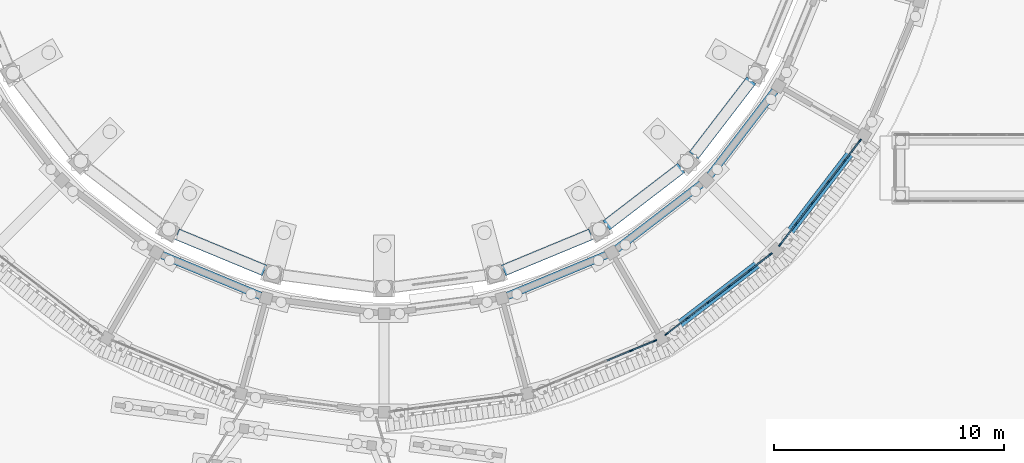
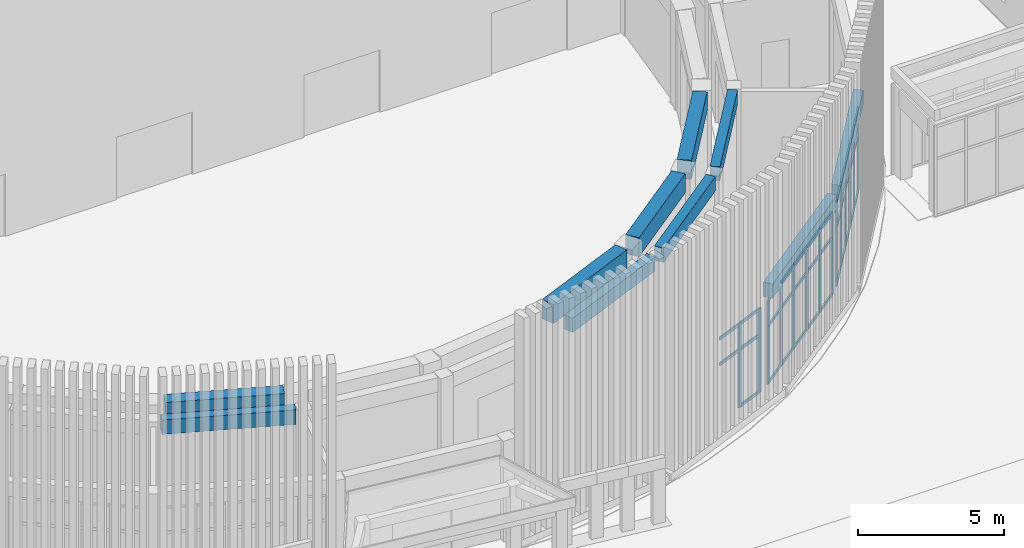
# One storey, part 17 of 112: 49 members, 10 beams, 3 elements without a shape of their own.
"""IFC4 building model written with IfcOpenShell, lengths in metres."""

from ifc_helpers import new_model, si_unit, direction, frame, origin, origin_2d, place, context, subcontext, project, spatial, rectangle, extrude, material, layer, layer_set, material_profile, profile_set, type_object, element, aggregate, save


model = new_model("IFC4")

# Units and contexts
model_context = context("Model", 3, precision=1e-05, world=origin(), true_north=direction((0.0, 1.0)))
body_context = subcontext(model_context, "Body", "Model", "MODEL_VIEW")
ifc_project = project(units=[si_unit("LENGTHUNIT", "METRE"), si_unit("AREAUNIT", "SQUARE_METRE"), si_unit("VOLUMEUNIT", "CUBIC_METRE"), si_unit("PLANEANGLEUNIT", "RADIAN"), si_unit("MASSUNIT", "GRAM", prefix="KILO")], contexts=[model_context])

# Site, building, storey
site_placement = place(None, origin())
site = spatial("IfcSite", under=ifc_project, at=site_placement, CompositionType="ELEMENT")
building_placement = place(site_placement, origin())
building = spatial("IfcBuilding", under=site, at=building_placement, Name="Wasatch Bagh Community Centre", CompositionType="ELEMENT")
storey_placement = place(building_placement, origin())
storey = spatial("IfcBuildingStorey", under=building, at=storey_placement, Name="L00", CompositionType="ELEMENT", Elevation=0.0)

# Curtain wall, members
ifc_material_1 = material(Name="Aluminium curtain wall frame with low-iron insulated glass", Category="aluminium")
ifc_layer = layer(ifc_material_1, 0.14990234375)
ifc_layer_set = layer_set([ifc_layer], Name="Aluminium curtain wall frame with low-iron insulated glass")
curtain_wall_type = type_object("IfcCurtainWallType", Name="Drum curtain wall DR-CW1", PredefinedType="NOTDEFINED", material=ifc_layer_set)
curtain_wall_1_placement = place(storey_placement, origin())
curtain_wall_1 = element("IfcCurtainWall", 1, at=curtain_wall_1_placement, inside=storey, type_object=curtain_wall_type, Name="Curtain wall DR-CW1 8", PredefinedType="NOTDEFINED")
ifc_material_2 = material(Name="Aluminium curtain wall frame", Category="aluminium")
ifc_material_profile_1 = material_profile(ifc_material_2, rectangle(XDim=0.06005859375, YDim=0.159912109375, at=origin_2d()), Name="Drum mullion DR-CW1")
ifc_profile_set_1 = profile_set([ifc_material_profile_1], Name="Aluminium curtain wall frame")
member_type_1 = type_object("IfcMemberType", Name="Drum mullion DR-CW1", PredefinedType="MULLION", material=ifc_profile_set_1)
member_1_placement = place(storey_placement, frame((46.7646484375, 13.542724609375, 0.0), z_axis=(0.0, 0.0, 1.0), x_axis=(-0.38268343251, 0.923879532451, 0.0)))
member_1 = element("IfcMember", 2, at=member_1_placement, type_object=member_type_1, Name="DR-CW1 mullion 5", PredefinedType="MULLION", context=body_context, shape_type="SweptSolid", body=[
    extrude(rectangle(XDim=0.06005859375, YDim=0.159912109375, at=origin_2d()), origin(), (0.0, 0.0, 1.0), 3.5),
])
member_2_placement = place(storey_placement, frame((47.8046875, 13.9736328125, 0.0), z_axis=(0.0, 0.0, 1.0), x_axis=(-0.38268343251, 0.923879532451, 0.0)))
member_2 = element("IfcMember", 3, at=member_2_placement, type_object=member_type_1, Name="DR-CW1 mullion 6", PredefinedType="MULLION", context=body_context, shape_type="SweptSolid", body=[
    extrude(rectangle(XDim=0.06005859375, YDim=0.159912109375, at=origin_2d()), origin(), (0.0, 0.0, 1.0), 3.5),
])

curtain_wall_2_placement = place(storey_placement, origin())
curtain_wall_2 = element("IfcCurtainWall", 4, at=curtain_wall_2_placement, inside=storey, type_object=curtain_wall_type, Name="Curtain wall DR-CW1 9", PredefinedType="NOTDEFINED")
member_3_placement = place(storey_placement, frame((48.30712890625, 14.263671875, 0.0), z_axis=(0.0, 0.0, 1.0), x_axis=(-0.608761429133, 0.793353340196, 0.0)))
member_3 = element("IfcMember", 5, at=member_3_placement, type_object=member_type_1, Name="DR-CW1 mullion 1", PredefinedType="MULLION", context=body_context, shape_type="SweptSolid", body=[
    extrude(rectangle(XDim=0.06005859375, YDim=0.159912109375, at=origin_2d()), origin(), (0.0, 0.0, 1.0), 3.5),
])
member_4_placement = place(storey_placement, frame((49.2001953125, 14.948974609375, 0.0), z_axis=(0.0, 0.0, 1.0), x_axis=(-0.608761429133, 0.793353340196, 0.0)))
member_4 = element("IfcMember", 6, at=member_4_placement, type_object=member_type_1, Name="DR-CW1 mullion 2", PredefinedType="MULLION", context=body_context, shape_type="SweptSolid", body=[
    extrude(rectangle(XDim=0.06005859375, YDim=0.159912109375, at=origin_2d()), origin(), (0.0, 0.0, 1.0), 3.5),
])
member_5_placement = place(storey_placement, frame((50.1171875, 15.652587890625, 0.0), z_axis=(0.0, 0.0, 1.0), x_axis=(-0.608761429133, 0.793353340196, 0.0)))
member_5 = element("IfcMember", 7, at=member_5_placement, type_object=member_type_1, Name="DR-CW1 mullion 3", PredefinedType="MULLION", context=body_context, shape_type="SweptSolid", body=[
    extrude(rectangle(XDim=0.06005859375, YDim=0.159912109375, at=origin_2d()), origin(), (0.0, 0.0, 1.0), 3.5),
])
member_6_placement = place(storey_placement, frame((51.034423828125, 16.356201171875, 0.0), z_axis=(0.0, 0.0, 1.0), x_axis=(-0.608761429133, 0.793353340196, 0.0)))
member_6 = element("IfcMember", 8, at=member_6_placement, type_object=member_type_1, Name="DR-CW1 mullion 4", PredefinedType="MULLION", context=body_context, shape_type="SweptSolid", body=[
    extrude(rectangle(XDim=0.06005859375, YDim=0.159912109375, at=origin_2d()), origin(), (0.0, 0.0, 1.0), 3.5),
])
member_7_placement = place(storey_placement, frame((51.951416015625, 17.059814453125, 0.0), z_axis=(0.0, 0.0, 1.0), x_axis=(-0.608761429133, 0.793353340196, 0.0)))
member_7 = element("IfcMember", 9, at=member_7_placement, type_object=member_type_1, Name="DR-CW1 mullion 5", PredefinedType="MULLION", context=body_context, shape_type="SweptSolid", body=[
    extrude(rectangle(XDim=0.06005859375, YDim=0.159912109375, at=origin_2d()), origin(), (0.0, 0.0, 1.0), 3.5),
])
member_8_placement = place(storey_placement, frame((52.844482421875, 17.745361328125, 0.0), z_axis=(0.0, 0.0, 1.0), x_axis=(-0.608761429133, 0.793353340196, 0.0)))
member_8 = element("IfcMember", 10, at=member_8_placement, type_object=member_type_1, Name="DR-CW1 mullion 6", PredefinedType="MULLION", context=body_context, shape_type="SweptSolid", body=[
    extrude(rectangle(XDim=0.06005859375, YDim=0.159912109375, at=origin_2d()), origin(), (0.0, 0.0, 1.0), 3.5),
])

curtain_wall_3_placement = place(storey_placement, origin())
curtain_wall_3 = element("IfcCurtainWall", 11, at=curtain_wall_3_placement, inside=storey, type_object=curtain_wall_type, Name="Curtain wall DR-CW1 10", PredefinedType="NOTDEFINED")
member_9_placement = place(storey_placement, frame((53.254638671875, 18.155517578125, 0.0), z_axis=(0.0, 0.0, 1.0), x_axis=(-0.793353340196, 0.608761429133, 0.0)))
member_9 = element("IfcMember", 12, at=member_9_placement, type_object=member_type_1, Name="DR-CW1 mullion 1", PredefinedType="MULLION", context=body_context, shape_type="SweptSolid", body=[
    extrude(rectangle(XDim=0.06005859375, YDim=0.159912109375, at=origin_2d()), origin(), (0.0, 0.0, 1.0), 3.5),
])
member_10_placement = place(storey_placement, frame((53.940185546875, 19.048583984375, 0.0), z_axis=(0.0, 0.0, 1.0), x_axis=(-0.793353340196, 0.608761429133, 0.0)))
member_10 = element("IfcMember", 13, at=member_10_placement, type_object=member_type_1, Name="DR-CW1 mullion 2", PredefinedType="MULLION", context=body_context, shape_type="SweptSolid", body=[
    extrude(rectangle(XDim=0.06005859375, YDim=0.159912109375, at=origin_2d()), origin(), (0.0, 0.0, 1.0), 3.5),
])
member_11_placement = place(storey_placement, frame((54.643798828125, 19.965576171875, 0.0), z_axis=(0.0, 0.0, 1.0), x_axis=(-0.793353340196, 0.608761429133, 0.0)))
member_11 = element("IfcMember", 14, at=member_11_placement, type_object=member_type_1, Name="DR-CW1 mullion 3", PredefinedType="MULLION", context=body_context, shape_type="SweptSolid", body=[
    extrude(rectangle(XDim=0.06005859375, YDim=0.159912109375, at=origin_2d()), origin(), (0.0, 0.0, 1.0), 3.5),
])
member_12_placement = place(storey_placement, frame((55.347412109375, 20.8828125, 0.0), z_axis=(0.0, 0.0, 1.0), x_axis=(-0.793353340196, 0.608761429133, 0.0)))
member_12 = element("IfcMember", 15, at=member_12_placement, type_object=member_type_1, Name="DR-CW1 mullion 4", PredefinedType="MULLION", context=body_context, shape_type="SweptSolid", body=[
    extrude(rectangle(XDim=0.06005859375, YDim=0.159912109375, at=origin_2d()), origin(), (0.0, 0.0, 1.0), 3.5),
])
member_13_placement = place(storey_placement, frame((56.051025390625, 21.7998046875, 0.0), z_axis=(0.0, 0.0, 1.0), x_axis=(-0.793353340196, 0.608761429133, 0.0)))
member_13 = element("IfcMember", 16, at=member_13_placement, type_object=member_type_1, Name="DR-CW1 mullion 5", PredefinedType="MULLION", context=body_context, shape_type="SweptSolid", body=[
    extrude(rectangle(XDim=0.06005859375, YDim=0.159912109375, at=origin_2d()), origin(), (0.0, 0.0, 1.0), 3.5),
])
member_14_placement = place(storey_placement, frame((56.736328125, 22.69287109375, 0.0), z_axis=(0.0, 0.0, 1.0), x_axis=(-0.793353340196, 0.608761429133, 0.0)))
member_14 = element("IfcMember", 17, at=member_14_placement, type_object=member_type_1, Name="DR-CW1 mullion 6", PredefinedType="MULLION", context=body_context, shape_type="SweptSolid", body=[
    extrude(rectangle(XDim=0.06005859375, YDim=0.159912109375, at=origin_2d()), origin(), (0.0, 0.0, 1.0), 3.5),
])

# Beams
ifc_material_3 = material(Name="Concrete C35", Category="concrete")
ifc_material_profile_2 = material_profile(ifc_material_3, rectangle(XDim=0.35009765625, YDim=0.60009765625, at=origin_2d()), Name="RC 350x600")
ifc_profile_set_2 = profile_set([ifc_material_profile_2], Name="Concrete C35")
beam_type_1 = type_object("IfcBeamType", Name="Drum ring beam RC 350x600", PredefinedType="BEAM", material=ifc_profile_set_2)
for number, where, z_axis, x_axis, name in (
    (18, (26.32958984375, 17.703857421875, 3.89990234375), (0.923884458327, -0.382671540178, 0.0), (0.382671540178, 0.923884458327, 0.0), "Ring beam 4.2 DI-S4-DI-S5"),
    (19, (41.392333984375, 15.931884765625, 3.89990234375), (0.923884458327, 0.382671540178, 0.0), (-0.382671540178, 0.923884458327, 0.0), "Ring beam 4.2 DI-S7-DI-S8"),
):
    element("IfcBeam", number, at=place(storey_placement, frame(where, z_axis=z_axis, x_axis=x_axis)), inside=storey, type_object=beam_type_1, Name=name, PredefinedType="BEAM", context=body_context, shape_type="SweptSolid", body=[
        extrude(rectangle(XDim=0.35009765625, YDim=0.60009765625, at=origin_2d()), origin(), (0.0, 0.0, 1.0), 4.630615234375),
    ])
for number, where, z_axis, x_axis, name in (
    (20, (46.143798828125, 17.977294921875, 3.89990234375), (0.793352555691, 0.608762451519, 0.0), (-0.608762451519, 0.793352555691, 0.0), "Ring beam 4.2 DI-S8-DI-S9"),
    (21, (50.203857421875, 21.1826171875, 3.89990234375), (0.608762451519, 0.793352555691, 0.0), (-0.793352555691, 0.608762451519, 0.0), "Ring beam 4.2 DI-S9-DI-S10"),
):
    element("IfcBeam", number, at=place(storey_placement, frame(where, z_axis=z_axis, x_axis=x_axis)), inside=storey, type_object=beam_type_1, Name=name, PredefinedType="BEAM", context=body_context, shape_type="SweptSolid", body=[
        extrude(rectangle(XDim=0.35009765625, YDim=0.60009765625, at=origin_2d()), origin(), (0.0, 0.0, 1.0), 4.63037109375),
    ])
for number, where, z_axis, x_axis, name in (
    (22, (48.293701171875, 14.25341796875, 3.89990234375), (0.793356989288, 0.608756673514, 0.0), (-0.608756673514, 0.793356989288, 0.0), "Ring beam 4.2 DO-S8-DO-S9"),
    (23, (53.244384765625, 18.14208984375, 3.89990234375), (0.608756673514, 0.793356989288, 0.0), (-0.793356989288, 0.608756673514, 0.0), "Ring beam 4.2 DO-S9-DO-S10"),
):
    element("IfcBeam", number, at=place(storey_placement, frame(where, z_axis=z_axis, x_axis=x_axis)), inside=storey, type_object=beam_type_1, Name=name, PredefinedType="BEAM", context=body_context, shape_type="SweptSolid", body=[
        extrude(rectangle(XDim=0.35009765625, YDim=0.60009765625, at=origin_2d()), origin(), (0.0, 0.0, 1.0), 5.7529296875),
    ])

# Member
ifc_material_profile_3 = material_profile(ifc_material_2, rectangle(XDim=0.06005859375, YDim=0.1201171875, at=origin_2d()), Name="Drum transom DR-CW1")
ifc_profile_set_3 = profile_set([ifc_material_profile_3], Name="Aluminium curtain wall frame")
member_type_2 = type_object("IfcMemberType", Name="Drum transom DR-CW1", PredefinedType="USERDEFINED", material=ifc_profile_set_3)
member_15_placement = place(storey_placement, frame((45.724365234375, 13.11181640625, 2.39990234375), z_axis=(0.923859339579, 0.382732178779, 0.0), x_axis=(-0.382732178779, 0.923859339579, 0.0)))
member_15 = element("IfcMember", 24, at=member_15_placement, type_object=member_type_2, Name="DR-CW1 transom 4.2", ObjectType="TRANSOM", PredefinedType="USERDEFINED", context=body_context, shape_type="SweptSolid", body=[
    extrude(rectangle(XDim=0.06005859375, YDim=0.1201171875, at=origin_2d()), origin(), (0.0, 0.0, 1.0), 1.095947265625),
])

member_16_placement = place(storey_placement, frame((45.724365234375, 13.11181640625, 3.469970703125), z_axis=(0.923859339579, 0.382732178779, 0.0), x_axis=(-0.382732178779, 0.923859339579, 0.0)))
member_16 = element("IfcMember", 25, at=member_16_placement, type_object=member_type_2, Name="DR-CW1 transom 4.3", ObjectType="TRANSOM", PredefinedType="USERDEFINED", context=body_context, shape_type="SweptSolid", body=[
    extrude(rectangle(XDim=0.06005859375, YDim=0.1201171875, at=origin_2d()), origin(), (0.0, 0.0, 1.0), 1.095947265625),
])

member_17_placement = place(storey_placement, frame((46.792236328125, 13.55419921875, 0.030029296875), z_axis=(0.923874472572, 0.38269564791, 0.0), x_axis=(-0.38269564791, 0.923874472572, 0.0)))
member_17 = element("IfcMember", 26, at=member_17_placement, type_object=member_type_2, Name="DR-CW1 transom 5.1", ObjectType="TRANSOM", PredefinedType="USERDEFINED", context=body_context, shape_type="SweptSolid", body=[
    extrude(rectangle(XDim=0.06005859375, YDim=0.1201171875, at=origin_2d()), origin(), (0.0, 0.0, 1.0), 1.06591796875),
])

member_18_placement = place(storey_placement, frame((46.792236328125, 13.55419921875, 2.39990234375), z_axis=(0.923874472572, 0.38269564791, 0.0), x_axis=(-0.38269564791, 0.923874472572, 0.0)))
member_18 = element("IfcMember", 27, at=member_18_placement, type_object=member_type_2, Name="DR-CW1 transom 5.2", ObjectType="TRANSOM", PredefinedType="USERDEFINED", context=body_context, shape_type="SweptSolid", body=[
    extrude(rectangle(XDim=0.06005859375, YDim=0.1201171875, at=origin_2d()), origin(), (0.0, 0.0, 1.0), 1.06591796875),
])

member_19_placement = place(storey_placement, frame((46.792236328125, 13.55419921875, 3.469970703125), z_axis=(0.923874472572, 0.38269564791, 0.0), x_axis=(-0.38269564791, 0.923874472572, 0.0)))
member_19 = element("IfcMember", 28, at=member_19_placement, type_object=member_type_2, Name="DR-CW1 transom 5.3", ObjectType="TRANSOM", PredefinedType="USERDEFINED", context=body_context, shape_type="SweptSolid", body=[
    extrude(rectangle(XDim=0.06005859375, YDim=0.1201171875, at=origin_2d()), origin(), (0.0, 0.0, 1.0), 1.06591796875),
])

aggregate(curtain_wall_1, [member_1, member_2, member_15, member_16, member_17, member_18, member_19])

member_20_placement = place(storey_placement, frame((48.330810546875, 14.28173828125, 0.030029296875), z_axis=(0.793355628453, 0.608758447006, 0.0), x_axis=(-0.608758447006, 0.793355628453, 0.0)))
member_20 = element("IfcMember", 29, at=member_20_placement, type_object=member_type_2, Name="DR-CW1 transom 1.1", ObjectType="TRANSOM", PredefinedType="USERDEFINED", context=body_context, shape_type="SweptSolid", body=[
    extrude(rectangle(XDim=0.06005859375, YDim=0.1201171875, at=origin_2d()), origin(), (0.0, 0.0, 1.0), 1.06591796875),
])

member_21_placement = place(storey_placement, frame((48.330810546875, 14.28173828125, 2.39990234375), z_axis=(0.793355628453, 0.608758447006, 0.0), x_axis=(-0.608758447006, 0.793355628453, 0.0)))
member_21 = element("IfcMember", 30, at=member_21_placement, type_object=member_type_2, Name="DR-CW1 transom 1.2", ObjectType="TRANSOM", PredefinedType="USERDEFINED", context=body_context, shape_type="SweptSolid", body=[
    extrude(rectangle(XDim=0.06005859375, YDim=0.1201171875, at=origin_2d()), origin(), (0.0, 0.0, 1.0), 1.06591796875),
])

member_22_placement = place(storey_placement, frame((48.330810546875, 14.28173828125, 3.469970703125), z_axis=(0.793355628453, 0.608758447006, 0.0), x_axis=(-0.608758447006, 0.793355628453, 0.0)))
member_22 = element("IfcMember", 31, at=member_22_placement, type_object=member_type_2, Name="DR-CW1 transom 1.3", ObjectType="TRANSOM", PredefinedType="USERDEFINED", context=body_context, shape_type="SweptSolid", body=[
    extrude(rectangle(XDim=0.06005859375, YDim=0.1201171875, at=origin_2d()), origin(), (0.0, 0.0, 1.0), 1.06591796875),
])

member_23_placement = place(storey_placement, frame((49.22412109375, 14.96728515625, 0.030029296875), z_axis=(0.793401911405, 0.608698124672, 0.0), x_axis=(-0.608698124672, 0.793401911405, 0.0)))
member_23 = element("IfcMember", 32, at=member_23_placement, type_object=member_type_2, Name="DR-CW1 transom 2.1", ObjectType="TRANSOM", PredefinedType="USERDEFINED", context=body_context, shape_type="SweptSolid", body=[
    extrude(rectangle(XDim=0.06005859375, YDim=0.1201171875, at=origin_2d()), origin(), (0.0, 0.0, 1.0), 1.095703125),
])

member_24_placement = place(storey_placement, frame((49.22412109375, 14.96728515625, 2.39990234375), z_axis=(0.793401911405, 0.608698124672, 0.0), x_axis=(-0.608698124672, 0.793401911405, 0.0)))
member_24 = element("IfcMember", 33, at=member_24_placement, type_object=member_type_2, Name="DR-CW1 transom 2.2", ObjectType="TRANSOM", PredefinedType="USERDEFINED", context=body_context, shape_type="SweptSolid", body=[
    extrude(rectangle(XDim=0.06005859375, YDim=0.1201171875, at=origin_2d()), origin(), (0.0, 0.0, 1.0), 1.095703125),
])

member_25_placement = place(storey_placement, frame((49.22412109375, 14.96728515625, 3.469970703125), z_axis=(0.793401911405, 0.608698124672, 0.0), x_axis=(-0.608698124672, 0.793401911405, 0.0)))
member_25 = element("IfcMember", 34, at=member_25_placement, type_object=member_type_2, Name="DR-CW1 transom 2.3", ObjectType="TRANSOM", PredefinedType="USERDEFINED", context=body_context, shape_type="SweptSolid", body=[
    extrude(rectangle(XDim=0.06005859375, YDim=0.1201171875, at=origin_2d()), origin(), (0.0, 0.0, 1.0), 1.095703125),
])

member_26_placement = place(storey_placement, frame((50.14111328125, 15.6708984375, 0.030029296875), z_axis=(0.793401911405, 0.608698124672, 0.0), x_axis=(-0.608698124672, 0.793401911405, 0.0)))
member_26 = element("IfcMember", 35, at=member_26_placement, type_object=member_type_2, Name="DR-CW1 transom 3.1", ObjectType="TRANSOM", PredefinedType="USERDEFINED", context=body_context, shape_type="SweptSolid", body=[
    extrude(rectangle(XDim=0.06005859375, YDim=0.1201171875, at=origin_2d()), origin(), (0.0, 0.0, 1.0), 1.095703125),
])

member_27_placement = place(storey_placement, frame((50.14111328125, 15.6708984375, 2.39990234375), z_axis=(0.793401911405, 0.608698124672, 0.0), x_axis=(-0.608698124672, 0.793401911405, 0.0)))
member_27 = element("IfcMember", 36, at=member_27_placement, type_object=member_type_2, Name="DR-CW1 transom 3.2", ObjectType="TRANSOM", PredefinedType="USERDEFINED", context=body_context, shape_type="SweptSolid", body=[
    extrude(rectangle(XDim=0.06005859375, YDim=0.1201171875, at=origin_2d()), origin(), (0.0, 0.0, 1.0), 1.095703125),
])

member_28_placement = place(storey_placement, frame((50.14111328125, 15.6708984375, 3.469970703125), z_axis=(0.793401911405, 0.608698124672, 0.0), x_axis=(-0.608698124672, 0.793401911405, 0.0)))
member_28 = element("IfcMember", 37, at=member_28_placement, type_object=member_type_2, Name="DR-CW1 transom 3.3", ObjectType="TRANSOM", PredefinedType="USERDEFINED", context=body_context, shape_type="SweptSolid", body=[
    extrude(rectangle(XDim=0.06005859375, YDim=0.1201171875, at=origin_2d()), origin(), (0.0, 0.0, 1.0), 1.095703125),
])

member_29_placement = place(storey_placement, frame((51.05810546875, 16.37451171875, 0.030029296875), z_axis=(0.793294312563, 0.608838347721, 0.0), x_axis=(-0.608838347721, 0.793294312563, 0.0)))
member_29 = element("IfcMember", 38, at=member_29_placement, type_object=member_type_2, Name="DR-CW1 transom 4.1", ObjectType="TRANSOM", PredefinedType="USERDEFINED", context=body_context, shape_type="SweptSolid", body=[
    extrude(rectangle(XDim=0.06005859375, YDim=0.1201171875, at=origin_2d()), origin(), (0.0, 0.0, 1.0), 1.095947265625),
])

member_30_placement = place(storey_placement, frame((51.05810546875, 16.37451171875, 2.39990234375), z_axis=(0.793294312563, 0.608838347721, 0.0), x_axis=(-0.608838347721, 0.793294312563, 0.0)))
member_30 = element("IfcMember", 39, at=member_30_placement, type_object=member_type_2, Name="DR-CW1 transom 4.2", ObjectType="TRANSOM", PredefinedType="USERDEFINED", context=body_context, shape_type="SweptSolid", body=[
    extrude(rectangle(XDim=0.06005859375, YDim=0.1201171875, at=origin_2d()), origin(), (0.0, 0.0, 1.0), 1.095947265625),
])

member_31_placement = place(storey_placement, frame((51.05810546875, 16.37451171875, 3.469970703125), z_axis=(0.793294312563, 0.608838347721, 0.0), x_axis=(-0.608838347721, 0.793294312563, 0.0)))
member_31 = element("IfcMember", 40, at=member_31_placement, type_object=member_type_2, Name="DR-CW1 transom 4.3", ObjectType="TRANSOM", PredefinedType="USERDEFINED", context=body_context, shape_type="SweptSolid", body=[
    extrude(rectangle(XDim=0.06005859375, YDim=0.1201171875, at=origin_2d()), origin(), (0.0, 0.0, 1.0), 1.095947265625),
])

member_32_placement = place(storey_placement, frame((51.97509765625, 17.078125, 0.030029296875), z_axis=(0.793355628453, 0.608758447006, 0.0), x_axis=(-0.608758447006, 0.793355628453, 0.0)))
member_32 = element("IfcMember", 41, at=member_32_placement, type_object=member_type_2, Name="DR-CW1 transom 5.1", ObjectType="TRANSOM", PredefinedType="USERDEFINED", context=body_context, shape_type="SweptSolid", body=[
    extrude(rectangle(XDim=0.06005859375, YDim=0.1201171875, at=origin_2d()), origin(), (0.0, 0.0, 1.0), 1.06591796875),
])

member_33_placement = place(storey_placement, frame((51.97509765625, 17.078125, 2.39990234375), z_axis=(0.793355628453, 0.608758447006, 0.0), x_axis=(-0.608758447006, 0.793355628453, 0.0)))
member_33 = element("IfcMember", 42, at=member_33_placement, type_object=member_type_2, Name="DR-CW1 transom 5.2", ObjectType="TRANSOM", PredefinedType="USERDEFINED", context=body_context, shape_type="SweptSolid", body=[
    extrude(rectangle(XDim=0.06005859375, YDim=0.1201171875, at=origin_2d()), origin(), (0.0, 0.0, 1.0), 1.06591796875),
])

member_34_placement = place(storey_placement, frame((51.97509765625, 17.078125, 3.469970703125), z_axis=(0.793355628453, 0.608758447006, 0.0), x_axis=(-0.608758447006, 0.793355628453, 0.0)))
member_34 = element("IfcMember", 43, at=member_34_placement, type_object=member_type_2, Name="DR-CW1 transom 5.3", ObjectType="TRANSOM", PredefinedType="USERDEFINED", context=body_context, shape_type="SweptSolid", body=[
    extrude(rectangle(XDim=0.06005859375, YDim=0.1201171875, at=origin_2d()), origin(), (0.0, 0.0, 1.0), 1.06591796875),
])

aggregate(curtain_wall_2, [member_3, member_4, member_5, member_6, member_7, member_8, member_20, member_21, member_22, member_23, member_24, member_25, member_26, member_27, member_28, member_29, member_30, member_31, member_32, member_33, member_34])

member_35_placement = place(storey_placement, frame((53.27294921875, 18.17919921875, 0.030029296875), z_axis=(0.608758447006, 0.793355628453, 0.0), x_axis=(-0.793355628453, 0.608758447006, 0.0)))
member_35 = element("IfcMember", 44, at=member_35_placement, type_object=member_type_2, Name="DR-CW1 transom 1.1", ObjectType="TRANSOM", PredefinedType="USERDEFINED", context=body_context, shape_type="SweptSolid", body=[
    extrude(rectangle(XDim=0.06005859375, YDim=0.1201171875, at=origin_2d()), origin(), (0.0, 0.0, 1.0), 1.06591796875),
])

member_36_placement = place(storey_placement, frame((53.27294921875, 18.17919921875, 2.39990234375), z_axis=(0.608758447006, 0.793355628453, 0.0), x_axis=(-0.793355628453, 0.608758447006, 0.0)))
member_36 = element("IfcMember", 45, at=member_36_placement, type_object=member_type_2, Name="DR-CW1 transom 1.2", ObjectType="TRANSOM", PredefinedType="USERDEFINED", context=body_context, shape_type="SweptSolid", body=[
    extrude(rectangle(XDim=0.06005859375, YDim=0.1201171875, at=origin_2d()), origin(), (0.0, 0.0, 1.0), 1.06591796875),
])

member_37_placement = place(storey_placement, frame((53.27294921875, 18.17919921875, 3.469970703125), z_axis=(0.608758447006, 0.793355628453, 0.0), x_axis=(-0.793355628453, 0.608758447006, 0.0)))
member_37 = element("IfcMember", 46, at=member_37_placement, type_object=member_type_2, Name="DR-CW1 transom 1.3", ObjectType="TRANSOM", PredefinedType="USERDEFINED", context=body_context, shape_type="SweptSolid", body=[
    extrude(rectangle(XDim=0.06005859375, YDim=0.1201171875, at=origin_2d()), origin(), (0.0, 0.0, 1.0), 1.06591796875),
])

member_38_placement = place(storey_placement, frame((53.958251953125, 19.072509765625, 0.030029296875), z_axis=(0.608838347721, 0.793294312563, 0.0), x_axis=(-0.793294312563, 0.608838347721, 0.0)))
member_38 = element("IfcMember", 47, at=member_38_placement, type_object=member_type_2, Name="DR-CW1 transom 2.1", ObjectType="TRANSOM", PredefinedType="USERDEFINED", context=body_context, shape_type="SweptSolid", body=[
    extrude(rectangle(XDim=0.06005859375, YDim=0.1201171875, at=origin_2d()), origin(), (0.0, 0.0, 1.0), 1.095947265625),
])

member_39_placement = place(storey_placement, frame((53.958251953125, 19.072509765625, 2.39990234375), z_axis=(0.608838347721, 0.793294312563, 0.0), x_axis=(-0.793294312563, 0.608838347721, 0.0)))
member_39 = element("IfcMember", 48, at=member_39_placement, type_object=member_type_2, Name="DR-CW1 transom 2.2", ObjectType="TRANSOM", PredefinedType="USERDEFINED", context=body_context, shape_type="SweptSolid", body=[
    extrude(rectangle(XDim=0.06005859375, YDim=0.1201171875, at=origin_2d()), origin(), (0.0, 0.0, 1.0), 1.095947265625),
])

member_40_placement = place(storey_placement, frame((53.958251953125, 19.072509765625, 3.469970703125), z_axis=(0.608838347721, 0.793294312563, 0.0), x_axis=(-0.793294312563, 0.608838347721, 0.0)))
member_40 = element("IfcMember", 49, at=member_40_placement, type_object=member_type_2, Name="DR-CW1 transom 2.3", ObjectType="TRANSOM", PredefinedType="USERDEFINED", context=body_context, shape_type="SweptSolid", body=[
    extrude(rectangle(XDim=0.06005859375, YDim=0.1201171875, at=origin_2d()), origin(), (0.0, 0.0, 1.0), 1.095947265625),
])

member_41_placement = place(storey_placement, frame((54.662109375, 19.989501953125, 0.030029296875), z_axis=(0.608698124672, 0.793401911405, 0.0), x_axis=(-0.793401911405, 0.608698124672, 0.0)))
member_41 = element("IfcMember", 50, at=member_41_placement, type_object=member_type_2, Name="DR-CW1 transom 3.1", ObjectType="TRANSOM", PredefinedType="USERDEFINED", context=body_context, shape_type="SweptSolid", body=[
    extrude(rectangle(XDim=0.06005859375, YDim=0.1201171875, at=origin_2d()), origin(), (0.0, 0.0, 1.0), 1.095703125),
])

member_42_placement = place(storey_placement, frame((54.662109375, 19.989501953125, 2.39990234375), z_axis=(0.608698124672, 0.793401911405, 0.0), x_axis=(-0.793401911405, 0.608698124672, 0.0)))
member_42 = element("IfcMember", 51, at=member_42_placement, type_object=member_type_2, Name="DR-CW1 transom 3.2", ObjectType="TRANSOM", PredefinedType="USERDEFINED", context=body_context, shape_type="SweptSolid", body=[
    extrude(rectangle(XDim=0.06005859375, YDim=0.1201171875, at=origin_2d()), origin(), (0.0, 0.0, 1.0), 1.095703125),
])

member_43_placement = place(storey_placement, frame((54.662109375, 19.989501953125, 3.469970703125), z_axis=(0.608698124672, 0.793401911405, 0.0), x_axis=(-0.793401911405, 0.608698124672, 0.0)))
member_43 = element("IfcMember", 52, at=member_43_placement, type_object=member_type_2, Name="DR-CW1 transom 3.3", ObjectType="TRANSOM", PredefinedType="USERDEFINED", context=body_context, shape_type="SweptSolid", body=[
    extrude(rectangle(XDim=0.06005859375, YDim=0.1201171875, at=origin_2d()), origin(), (0.0, 0.0, 1.0), 1.095703125),
])

member_44_placement = place(storey_placement, frame((55.36572265625, 20.906494140625, 0.030029296875), z_axis=(0.608698124672, 0.793401911405, 0.0), x_axis=(-0.793401911405, 0.608698124672, 0.0)))
member_44 = element("IfcMember", 53, at=member_44_placement, type_object=member_type_2, Name="DR-CW1 transom 4.1", ObjectType="TRANSOM", PredefinedType="USERDEFINED", context=body_context, shape_type="SweptSolid", body=[
    extrude(rectangle(XDim=0.06005859375, YDim=0.1201171875, at=origin_2d()), origin(), (0.0, 0.0, 1.0), 1.095703125),
])

member_45_placement = place(storey_placement, frame((55.36572265625, 20.906494140625, 2.39990234375), z_axis=(0.608698124672, 0.793401911405, 0.0), x_axis=(-0.793401911405, 0.608698124672, 0.0)))
member_45 = element("IfcMember", 54, at=member_45_placement, type_object=member_type_2, Name="DR-CW1 transom 4.2", ObjectType="TRANSOM", PredefinedType="USERDEFINED", context=body_context, shape_type="SweptSolid", body=[
    extrude(rectangle(XDim=0.06005859375, YDim=0.1201171875, at=origin_2d()), origin(), (0.0, 0.0, 1.0), 1.095703125),
])

member_46_placement = place(storey_placement, frame((55.36572265625, 20.906494140625, 3.469970703125), z_axis=(0.608698124672, 0.793401911405, 0.0), x_axis=(-0.793401911405, 0.608698124672, 0.0)))
member_46 = element("IfcMember", 55, at=member_46_placement, type_object=member_type_2, Name="DR-CW1 transom 4.3", ObjectType="TRANSOM", PredefinedType="USERDEFINED", context=body_context, shape_type="SweptSolid", body=[
    extrude(rectangle(XDim=0.06005859375, YDim=0.1201171875, at=origin_2d()), origin(), (0.0, 0.0, 1.0), 1.095703125),
])

member_47_placement = place(storey_placement, frame((56.0693359375, 21.823486328125, 0.030029296875), z_axis=(0.608758447006, 0.793355628453, 0.0), x_axis=(-0.793355628453, 0.608758447006, 0.0)))
member_47 = element("IfcMember", 56, at=member_47_placement, type_object=member_type_2, Name="DR-CW1 transom 5.1", ObjectType="TRANSOM", PredefinedType="USERDEFINED", context=body_context, shape_type="SweptSolid", body=[
    extrude(rectangle(XDim=0.06005859375, YDim=0.1201171875, at=origin_2d()), origin(), (0.0, 0.0, 1.0), 1.06591796875),
])

member_48_placement = place(storey_placement, frame((56.0693359375, 21.823486328125, 2.39990234375), z_axis=(0.608758447006, 0.793355628453, 0.0), x_axis=(-0.793355628453, 0.608758447006, 0.0)))
member_48 = element("IfcMember", 57, at=member_48_placement, type_object=member_type_2, Name="DR-CW1 transom 5.2", ObjectType="TRANSOM", PredefinedType="USERDEFINED", context=body_context, shape_type="SweptSolid", body=[
    extrude(rectangle(XDim=0.06005859375, YDim=0.1201171875, at=origin_2d()), origin(), (0.0, 0.0, 1.0), 1.06591796875),
])

member_49_placement = place(storey_placement, frame((56.0693359375, 21.823486328125, 3.469970703125), z_axis=(0.608758447006, 0.793355628453, 0.0), x_axis=(-0.793355628453, 0.608758447006, 0.0)))
member_49 = element("IfcMember", 58, at=member_49_placement, type_object=member_type_2, Name="DR-CW1 transom 5.3", ObjectType="TRANSOM", PredefinedType="USERDEFINED", context=body_context, shape_type="SweptSolid", body=[
    extrude(rectangle(XDim=0.06005859375, YDim=0.1201171875, at=origin_2d()), origin(), (0.0, 0.0, 1.0), 1.06591796875),
])

aggregate(curtain_wall_3, [member_9, member_10, member_11, member_12, member_13, member_14, member_35, member_36, member_37, member_38, member_39, member_40, member_41, member_42, member_43, member_44, member_45, member_46, member_47, member_48, member_49])

# Beams
ifc_material_profile_4 = material_profile(ifc_material_3, rectangle(XDim=0.5, YDim=0.800048828125, at=origin_2d()), Name="RC 500x800")
ifc_profile_set_4 = profile_set([ifc_material_profile_4], Name="Concrete C35")
beam_type_2 = type_object("IfcBeamType", Name="MH ring beam RC 500x800", PredefinedType="BEAM", material=ifc_profile_set_4)
for number, where, z_axis, x_axis, name in (
    (59, (26.98193359375, 18.6142578125, 3.800048828125), (0.923877504262, -0.382688328955, 0.0), (0.382688328955, 0.923877504262, 0.0), "Ring beam 4.2 S4-S5"),
    (60, (41.2099609375, 17.036865234375, 3.800048828125), (0.923877504262, 0.382688328955, 0.0), (-0.382688328955, 0.923877504262, 0.0), "Ring beam 4.2 S7-S8"),
    (61, (45.681640625, 18.997314453125, 3.800048828125), (0.793341258985, 0.60877717335, 0.0), (-0.60877717335, 0.793341258985, 0.0), "Ring beam 4.2 S8-S9"),
    (62, (49.493408203125, 22.04833984375, 3.800048828125), (0.60877717335, 0.793341258985, 0.0), (-0.793341258985, 0.60877717335, 0.0), "Ring beam 4.2 S9-S10"),
):
    element("IfcBeam", number, at=place(storey_placement, frame(where, z_axis=z_axis, x_axis=x_axis)), inside=storey, type_object=beam_type_2, Name=name, PredefinedType="BEAM", context=body_context, shape_type="SweptSolid", body=[
        extrude(rectangle(XDim=0.5, YDim=0.800048828125, at=origin_2d()), origin(), (0.0, 0.0, 1.0), 4.121826171875),
    ])

save(model, "model.ifc")
